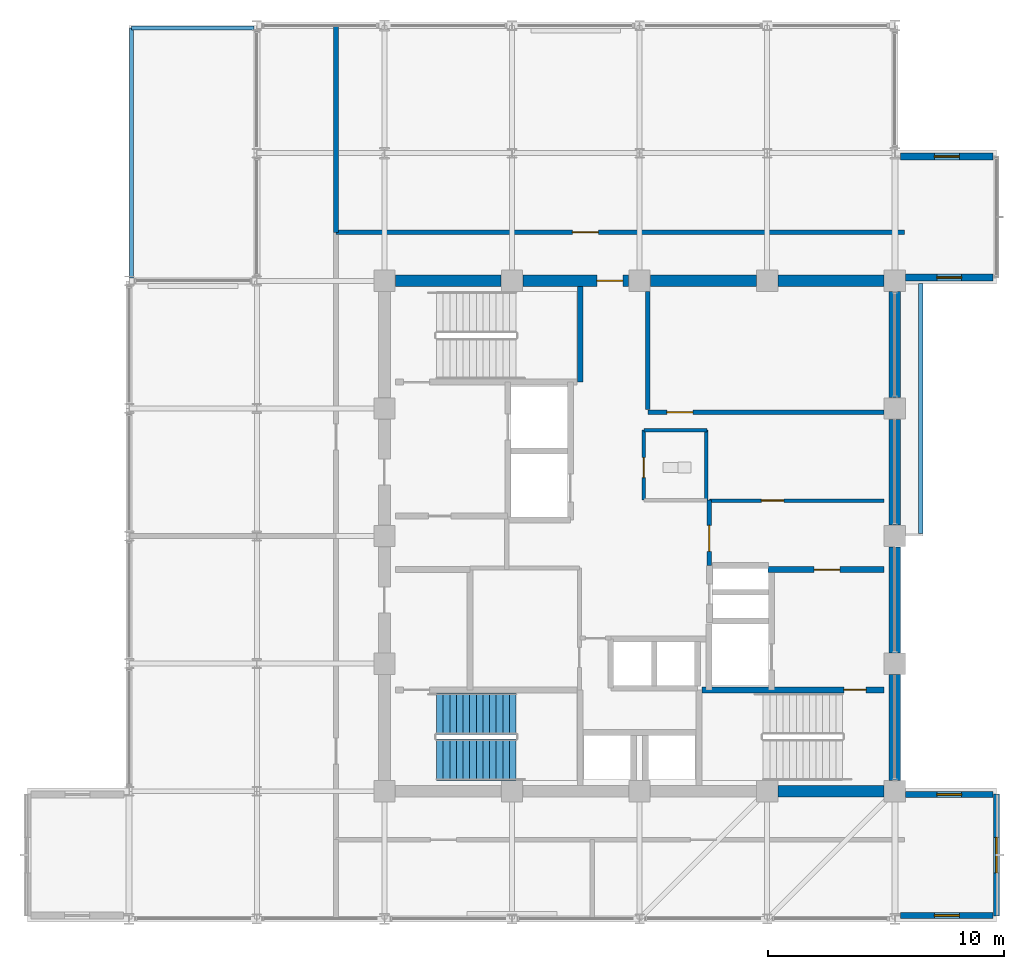
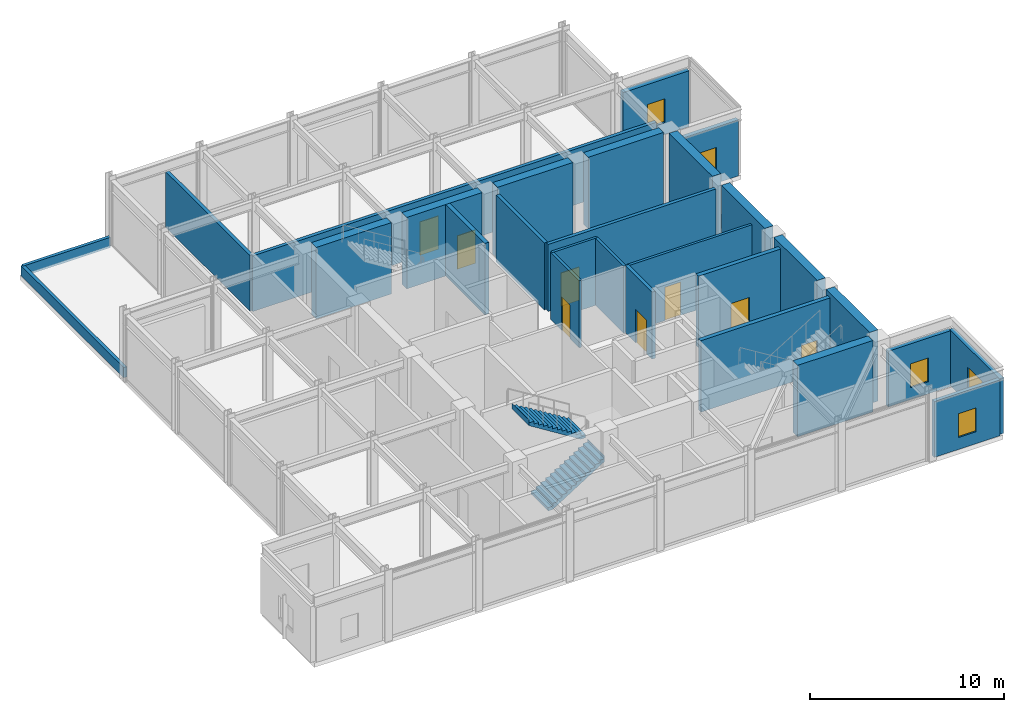
# One storey, part 17 of 22: 29 walls, 8 doors, 5 windows, 2 stair flights, 13 openings, 1 element without a shape of its own.
"""IFC4 building model written with IfcOpenShell, lengths in metres."""

from ifc_helpers import new_model, si_unit, direction, frame, frame_2d, origin, place, context, subcontext, project, spatial, polyline, rectangle, outline, extrude, material, layer, layer_set, type_object, element, fill, aggregate, save


model = new_model("IFC4")

# Units and contexts
model_context = context("Model", 3, precision=1e-05, world=origin(), true_north=direction((0.0, 1.0)))
body_context = subcontext(model_context, "Body", "Model", "MODEL_VIEW")
ifc_project = project(units=[si_unit("LENGTHUNIT", "METRE"), si_unit("AREAUNIT", "SQUARE_METRE"), si_unit("VOLUMEUNIT", "CUBIC_METRE"), si_unit("PLANEANGLEUNIT", "RADIAN"), si_unit("MASSUNIT", "GRAM", prefix="KILO")], contexts=[model_context])

# Site, building, storey
site_placement = place(None, origin())
site = spatial("IfcSite", under=ifc_project, at=site_placement, CompositionType="ELEMENT")
building_placement = place(site_placement, origin())
building = spatial("IfcBuilding", under=site, at=building_placement, Name="Surkhivell Harbour Commons", CompositionType="ELEMENT")
storey_placement = place(building_placement, frame((0.0, 0.0, 342.0)))
storey = spatial("IfcBuildingStorey", under=building, at=storey_placement, Name="L89", CompositionType="ELEMENT", Elevation=342.0)

# Walls
ifc_material_1 = material(Name="Concrete C50/60", Category="concrete")
ifc_layer_1 = layer(ifc_material_1, 0.5)
ifc_layer_set_1 = layer_set([ifc_layer_1], Name="Concrete C50/60")
wall_type_1 = type_object("IfcWallType", Name="WAL-CORE-500", PredefinedType="SHEAR", material=ifc_layer_set_1)
for number, where, z_axis, x_axis, name in (
    (1, (-10.340087890625, 10.800048828125, 0.0), (0.0, 0.0, 1.0), (1.0, 0.0, 0.0), "L89 Core Shear Wall North 1"),
    (2, (10.800048828125, -10.340087890625, 0.0), (0.0, 0.0, 1.0), (0.0, 1.0, 0.0), "L89 Core Shear Wall East 1"),
):
    element("IfcWall", number, at=place(storey_placement, frame(where, z_axis=z_axis, x_axis=x_axis)), inside=storey, type_object=wall_type_1, Name=name, PredefinedType="SHEAR", context=body_context, shape_type="SweptSolid", body=[
        extrude(rectangle(XDim=4.47998046875, YDim=0.5, at=frame_2d((2.239990234375, 0.0))), origin(), (0.0, 0.0, 1.0), 4.5),
    ])

# Wall, opening, door
wall_1_placement = place(storey_placement, frame((-4.93994140625, 10.800048828125, 0.0), z_axis=(0.0, 0.0, 1.0), x_axis=(1.0, 0.0, 0.0)))
wall_1 = element("IfcWall", 3, at=wall_1_placement, inside=storey, type_object=wall_type_1, Name="L89 Core Shear Wall North 2", PredefinedType="SHEAR", context=body_context, shape_type="SweptSolid", body=[
    extrude(rectangle(XDim=4.47998046875, YDim=0.5, at=frame_2d((2.239990234375, 0.0))), origin(), (0.0, 0.0, 1.0), 4.5),
])
opening_1_placement = place(wall_1_placement, frame((3.1298828125, 0.0, 0.0)))
opening_1 = element("IfcOpeningElement", 4, at=opening_1_placement, cuts=wall_1, Name="Opening ID-2", PredefinedType="OPENING", context=body_context, shape_type="SweptSolid", body=[
    extrude(rectangle(XDim=1.10009765625, YDim=2.10009765625, at=frame_2d((0.550048828125, 1.050048828125))), frame((0.0, 0.260009765625, 0.0), z_axis=(0.0, -1.0, 0.0), x_axis=(1.0, 0.0, 0.0)), (0.0, 0.0, 1.0), 0.52001953125),
])
ifc_material_2 = material(Name="Hardwood-veneered fire-rated door leaf", Category="wood")
door_type_1 = type_object("IfcDoorType", Name="DOR-FD60-1100", OperationType="NOTDEFINED", PredefinedType="DOOR", material=ifc_material_2)
door_1_placement = place(opening_1_placement, origin())
door_1 = element("IfcDoor", 5, at=door_1_placement, inside=storey, type_object=door_type_1, Name="L89 Central Core Lift Hall North Corridor Door", OperationType="SINGLE_SWING_LEFT", OverallHeight=2.10009765625, OverallWidth=1.10009765625, PredefinedType="DOOR", context=body_context, shape_type="SweptSolid", body=[
    extrude(rectangle(XDim=1.10009765625, YDim=2.10009765625, at=frame_2d((0.550048828125, 1.050048828125))), frame((0.0, 0.02490234375, 0.0), z_axis=(0.0, -1.0, 0.0), x_axis=(1.0, 0.0, 0.0)), (0.0, 0.0, 1.0), 0.050048828125),
])
fill(opening_1, door_1)

# Walls
for number, where, z_axis, x_axis, name in (
    (6, (10.800048828125, -4.93994140625, 0.0), (0.0, 0.0, 1.0), (0.0, 1.0, 0.0), "L89 Core Shear Wall East 2"),
    (7, (0.4599609375, 10.800048828125, 0.0), (0.0, 0.0, 1.0), (1.0, 0.0, 0.0), "L89 Core Shear Wall North 3"),
    (8, (10.800048828125, 0.4599609375, 0.0), (0.0, 0.0, 1.0), (0.0, 1.0, 0.0), "L89 Core Shear Wall East 3"),
    (9, (5.860107421875, -10.800048828125, 0.0), (0.0, 0.0, 1.0), (1.0, 0.0, 0.0), "L89 Core Shear Wall South 4"),
    (10, (5.860107421875, 10.800048828125, 0.0), (0.0, 0.0, 1.0), (1.0, 0.0, 0.0), "L89 Core Shear Wall North 4"),
    (11, (10.800048828125, 5.860107421875, 0.0), (0.0, 0.0, 1.0), (0.0, 1.0, 0.0), "L89 Core Shear Wall East 4"),
):
    element("IfcWall", number, at=place(storey_placement, frame(where, z_axis=z_axis, x_axis=x_axis)), inside=storey, type_object=wall_type_1, Name=name, PredefinedType="SHEAR", context=body_context, shape_type="SweptSolid", body=[
        extrude(rectangle(XDim=4.47998046875, YDim=0.5, at=frame_2d((2.239990234375, 0.0))), origin(), (0.0, 0.0, 1.0), 4.5),
    ])

# Wall, opening, window
ifc_material_3 = material(Name="Bronze-ochre cassette precast concrete C45/55", Category="concrete")
ifc_layer_2 = layer(ifc_material_3, 0.239990234375)
ifc_layer_set_2 = layer_set([ifc_layer_2], Name="Bronze-ochre cassette precast concrete C45/55")
wall_type_2 = type_object("IfcWallType", Name="WAL-EXT-OCH240", PredefinedType="STANDARD", material=ifc_layer_set_2)
wall_2_placement = place(storey_placement, frame((15.10009765625, -16.080078125, 0.0), z_axis=(0.0, 0.0, 1.0), x_axis=(0.0, 1.0, 0.0)))
wall_2 = element("IfcWall", 12, at=wall_2_placement, inside=storey, type_object=wall_type_2, Name="L89 Coloured Box Front Wall 01", PredefinedType="STANDARD", context=body_context, shape_type="SweptSolid", body=[
    extrude(rectangle(XDim=5.16015625, YDim=0.239990234375, at=frame_2d((2.580078125, 0.0))), origin(), (0.0, 0.0, 1.0), 3.507080078125),
])
opening_2_placement = place(wall_2_placement, frame((1.830078125, 0.0, 0.75)))
opening_2 = element("IfcOpeningElement", 13, at=opening_2_placement, cuts=wall_2, Name="Opening WN-13", PredefinedType="OPENING", context=body_context, shape_type="SweptSolid", body=[
    extrude(rectangle(XDim=1.5, YDim=1.5, at=frame_2d((0.75, 0.75))), frame((0.0, 0.1298828125, 0.0), z_axis=(0.0, -1.0, 0.0), x_axis=(1.0, 0.0, 0.0)), (0.0, 0.0, 1.0), 0.260009765625),
])
ifc_material_4 = material(Name="Thermal-break aluminium frame and double low-E glazing", Category="aluminium")
window_type_1 = type_object("IfcWindowType", Name="WIN-BOX-1500x1500", PartitioningType="SINGLE_PANEL", PredefinedType="WINDOW", material=ifc_material_4)
window_1_placement = place(opening_2_placement, origin())
window_1 = element("IfcWindow", 14, at=window_1_placement, inside=storey, type_object=window_type_1, Name="L89 Coloured Box Square Window 01-1", OverallHeight=1.5, OverallWidth=1.5, PartitioningType="SINGLE_PANEL", PredefinedType="WINDOW", context=body_context, shape_type="SweptSolid", body=[
    extrude(rectangle(XDim=1.5, YDim=1.5, at=frame_2d((0.75, 0.75))), frame((0.0, 0.030029296875, 0.0), z_axis=(0.0, -1.0, 0.0), x_axis=(1.0, 0.0, 0.0)), (0.0, 0.0, 1.0), 0.06005859375),
])
fill(opening_2, window_1)

wall_3_placement = place(storey_placement, frame((11.0439453125, -16.06005859375, 0.0), z_axis=(0.0, 0.0, 1.0), x_axis=(1.0, 0.0, 0.0)))
wall_3 = element("IfcWall", 15, at=wall_3_placement, inside=storey, type_object=wall_type_2, Name="L89 Coloured Box Return Wall 01S", PredefinedType="STANDARD", context=body_context, shape_type="SweptSolid", body=[
    extrude(rectangle(XDim=3.916015625, YDim=0.239990234375, at=frame_2d((1.9580078125, 0.0))), origin(), (0.0, 0.0, 1.0), 3.507080078125),
])
opening_3_placement = place(wall_3_placement, frame((1.43310546875, 0.0, 0.75)))
opening_3 = element("IfcOpeningElement", 16, at=opening_3_placement, cuts=wall_3, Name="Opening WN-11", PredefinedType="OPENING", context=body_context, shape_type="SweptSolid", body=[
    extrude(rectangle(XDim=1.050048828125, YDim=1.5, at=frame_2d((0.52490234375, 0.75))), frame((0.0, 0.1298828125, 0.0), z_axis=(0.0, -1.0, 0.0), x_axis=(1.0, 0.0, 0.0)), (0.0, 0.0, 1.0), 0.260009765625),
])
window_type_2 = type_object("IfcWindowType", Name="WIN-SER-1050x1500", PartitioningType="SINGLE_PANEL", PredefinedType="WINDOW", material=ifc_material_4)
window_2_placement = place(opening_3_placement, origin())
window_2 = element("IfcWindow", 17, at=window_2_placement, inside=storey, type_object=window_type_2, Name="L89 Coloured Box Return Window 01S", OverallHeight=1.5, OverallWidth=1.050048828125, PartitioningType="SINGLE_PANEL", PredefinedType="WINDOW", context=body_context, shape_type="SweptSolid", body=[
    extrude(rectangle(XDim=1.050048828125, YDim=1.5, at=frame_2d((0.52490234375, 0.75))), frame((0.0, 0.030029296875, 0.0), z_axis=(0.0, -1.0, 0.0), x_axis=(1.0, 0.0, 0.0)), (0.0, 0.0, 1.0), 0.06005859375),
])
fill(opening_3, window_2)

wall_4_placement = place(storey_placement, frame((11.25390625, -10.93994140625, 0.0), z_axis=(0.0, 0.0, 1.0), x_axis=(1.0, 0.0, 0.0)))
wall_4 = element("IfcWall", 18, at=wall_4_placement, inside=storey, type_object=wall_type_2, Name="L89 Coloured Box Return Wall 01N", PredefinedType="STANDARD", context=body_context, shape_type="SweptSolid", body=[
    extrude(rectangle(XDim=3.7060546875, YDim=0.239990234375, at=frame_2d((1.85302734375, 0.0))), origin(), (0.0, 0.0, 1.0), 3.507080078125),
])
opening_4_placement = place(wall_4_placement, frame((1.327880859375, 0.0, 0.75)))
opening_4 = element("IfcOpeningElement", 19, at=opening_4_placement, cuts=wall_4, Name="Opening WN-11", PredefinedType="OPENING", context=body_context, shape_type="SweptSolid", body=[
    extrude(rectangle(XDim=1.050048828125, YDim=1.5, at=frame_2d((0.52490234375, 0.75))), frame((0.0, 0.1298828125, 0.0), z_axis=(0.0, -1.0, 0.0), x_axis=(1.0, 0.0, 0.0)), (0.0, 0.0, 1.0), 0.260009765625),
])
window_3_placement = place(opening_4_placement, origin())
window_3 = element("IfcWindow", 20, at=window_3_placement, inside=storey, type_object=window_type_2, Name="L89 Coloured Box Return Window 01N", OverallHeight=1.5, OverallWidth=1.050048828125, PartitioningType="SINGLE_PANEL", PredefinedType="WINDOW", context=body_context, shape_type="SweptSolid", body=[
    extrude(rectangle(XDim=1.050048828125, YDim=1.5, at=frame_2d((0.52490234375, 0.75))), frame((0.0, 0.030029296875, 0.0), z_axis=(0.0, -1.0, 0.0), x_axis=(1.0, 0.0, 0.0)), (0.0, 0.0, 1.0), 0.06005859375),
])
fill(opening_4, window_3)

ifc_material_5 = material(Name="Terracotta-clad reinforced concrete C45/55", Category="masonry")
ifc_layer_3 = layer(ifc_material_5, 0.280029296875)
ifc_layer_set_3 = layer_set([ifc_layer_3], Name="Terracotta-clad reinforced concrete C45/55")
wall_type_3 = type_object("IfcWallType", Name="WAL-EXT-TER280", PredefinedType="STANDARD", material=ifc_layer_set_3)
wall_5_placement = place(storey_placement, frame((11.25390625, 10.93994140625, 0.0), z_axis=(0.0, 0.0, 1.0), x_axis=(1.0, 0.0, 0.0)))
wall_5 = element("IfcWall", 21, at=wall_5_placement, inside=storey, type_object=wall_type_3, Name="L89 Coloured Box Return Wall 02S", PredefinedType="STANDARD", context=body_context, shape_type="SweptSolid", body=[
    extrude(rectangle(XDim=3.7060546875, YDim=0.280029296875, at=frame_2d((1.85302734375, 0.0))), origin(), (0.0, 0.0, 1.0), 3.507080078125),
])
opening_5_placement = place(wall_5_placement, frame((1.327880859375, 0.0, 0.75)))
opening_5 = element("IfcOpeningElement", 22, at=opening_5_placement, cuts=wall_5, Name="Opening WN-11", PredefinedType="OPENING", context=body_context, shape_type="SweptSolid", body=[
    extrude(rectangle(XDim=1.050048828125, YDim=1.5, at=frame_2d((0.52490234375, 0.75))), frame((0.0, 0.14990234375, 0.0), z_axis=(0.0, -1.0, 0.0), x_axis=(1.0, 0.0, 0.0)), (0.0, 0.0, 1.0), 0.300048828125),
])
window_4_placement = place(opening_5_placement, origin())
window_4 = element("IfcWindow", 23, at=window_4_placement, inside=storey, type_object=window_type_2, Name="L89 Coloured Box Return Window 02S", OverallHeight=1.5, OverallWidth=1.050048828125, PartitioningType="SINGLE_PANEL", PredefinedType="WINDOW", context=body_context, shape_type="SweptSolid", body=[
    extrude(rectangle(XDim=1.050048828125, YDim=1.5, at=frame_2d((0.52490234375, 0.75))), frame((0.0, 0.030029296875, 0.0), z_axis=(0.0, -1.0, 0.0), x_axis=(1.0, 0.0, 0.0)), (0.0, 0.0, 1.0), 0.06005859375),
])
fill(opening_5, window_4)

wall_6_placement = place(storey_placement, frame((11.0439453125, 16.06005859375, 0.0), z_axis=(0.0, 0.0, 1.0), x_axis=(1.0, 0.0, 0.0)))
wall_6 = element("IfcWall", 24, at=wall_6_placement, inside=storey, type_object=wall_type_3, Name="L89 Coloured Box Return Wall 02N", PredefinedType="STANDARD", context=body_context, shape_type="SweptSolid", body=[
    extrude(rectangle(XDim=3.916015625, YDim=0.280029296875, at=frame_2d((1.9580078125, 0.0))), origin(), (0.0, 0.0, 1.0), 3.507080078125),
])
opening_6_placement = place(wall_6_placement, frame((1.43310546875, 0.0, 0.75)))
opening_6 = element("IfcOpeningElement", 25, at=opening_6_placement, cuts=wall_6, Name="Opening WN-11", PredefinedType="OPENING", context=body_context, shape_type="SweptSolid", body=[
    extrude(rectangle(XDim=1.050048828125, YDim=1.5, at=frame_2d((0.52490234375, 0.75))), frame((0.0, 0.14990234375, 0.0), z_axis=(0.0, -1.0, 0.0), x_axis=(1.0, 0.0, 0.0)), (0.0, 0.0, 1.0), 0.300048828125),
])
window_5_placement = place(opening_6_placement, origin())
window_5 = element("IfcWindow", 26, at=window_5_placement, inside=storey, type_object=window_type_2, Name="L89 Coloured Box Return Window 02N", OverallHeight=1.5, OverallWidth=1.050048828125, PartitioningType="SINGLE_PANEL", PredefinedType="WINDOW", context=body_context, shape_type="SweptSolid", body=[
    extrude(rectangle(XDim=1.050048828125, YDim=1.5, at=frame_2d((0.52490234375, 0.75))), frame((0.0, 0.030029296875, 0.0), z_axis=(0.0, -1.0, 0.0), x_axis=(1.0, 0.0, 0.0)), (0.0, 0.0, 1.0), 0.06005859375),
])
fill(opening_6, window_5)

# Walls
ifc_material_6 = material(Name="Twin-stud acoustic fireboard partition", Category="other")
ifc_layer_4 = layer(ifc_material_6, 0.14990234375)
ifc_layer_set_4 = layer_set([ifc_layer_4], Name="Twin-stud acoustic fireboard partition")
wall_type_4 = type_object("IfcWallType", Name="WAL-INT-150", PredefinedType="PARTITIONING", material=ifc_layer_set_4)
wall_7_placement = place(storey_placement, frame((2.820068359375, 1.52001953125, 0.0), z_axis=(0.0, 0.0, 1.0), x_axis=(0.0, 1.0, 0.0)))
element("IfcWall", 27, at=wall_7_placement, inside=storey, type_object=wall_type_4, Name="L89 Core Accessible WC East Wall", PredefinedType="PARTITIONING", context=body_context, shape_type="SweptSolid", body=[
    extrude(rectangle(XDim=2.9599609375, YDim=0.14990234375, at=frame_2d((1.47998046875, 0.0))), origin(), (0.0, 0.0, 1.0), 4.219970703125),
])
wall_8_placement = place(storey_placement, frame((0.179931640625, 4.47998046875, 0.0), z_axis=(0.0, 0.0, 1.0), x_axis=(1.0, 0.0, 0.0)))
element("IfcWall", 28, at=wall_8_placement, inside=storey, type_object=wall_type_4, Name="L89 Core Accessible WC North Wall", PredefinedType="PARTITIONING", context=body_context, shape_type="SweptSolid", body=[
    extrude(rectangle(XDim=2.670166015625, YDim=0.14990234375, at=frame_2d((1.3349609375, 0.0))), origin(), (0.0, 0.0, 1.0), 4.219970703125),
])

# Wall, opening, door
wall_9_placement = place(storey_placement, frame((0.179931640625, 1.52001953125, 0.0), z_axis=(0.0, 0.0, 1.0), x_axis=(0.0, 1.0, 0.0)))
wall_9 = element("IfcWall", 29, at=wall_9_placement, inside=storey, type_object=wall_type_4, Name="L89 Core Accessible WC West Wall", PredefinedType="PARTITIONING", context=body_context, shape_type="SweptSolid", body=[
    extrude(rectangle(XDim=2.9599609375, YDim=0.14990234375, at=frame_2d((1.47998046875, 0.0))), origin(), (0.0, 0.0, 1.0), 4.219970703125),
])
opening_7_placement = place(wall_9_placement, frame((0.949951171875, 0.0, 0.0)))
opening_7 = element("IfcOpeningElement", 30, at=opening_7_placement, cuts=wall_9, Name="Opening ID-6", PredefinedType="OPENING", context=body_context, shape_type="SweptSolid", body=[
    extrude(rectangle(XDim=0.85009765625, YDim=2.10009765625, at=frame_2d((0.425048828125, 1.050048828125))), frame((0.0, 0.0849609375, 0.0), z_axis=(0.0, -1.0, 0.0), x_axis=(1.0, 0.0, 0.0)), (0.0, 0.0, 1.0), 0.169921875),
])
door_type_2 = type_object("IfcDoorType", Name="DOR-FD30-850", OperationType="NOTDEFINED", PredefinedType="DOOR", material=ifc_material_2)
door_2_placement = place(opening_7_placement, origin())
door_2 = element("IfcDoor", 31, at=door_2_placement, inside=storey, type_object=door_type_2, Name="L89 Floor Accessible WC Door", OperationType="SINGLE_SWING_RIGHT", OverallHeight=2.10009765625, OverallWidth=0.85009765625, PredefinedType="DOOR", context=body_context, shape_type="SweptSolid", body=[
    extrude(rectangle(XDim=0.85009765625, YDim=2.10009765625, at=frame_2d((0.425048828125, 1.050048828125))), frame((0.0, 0.02490234375, 0.0), z_axis=(0.0, -1.0, 0.0), x_axis=(1.0, 0.0, 0.0)), (0.0, 0.0, 1.0), 0.050048828125),
])
fill(opening_7, door_2)

wall_10_placement = place(storey_placement, frame((2.949951171875, 1.5, 0.0), z_axis=(0.0, 0.0, 1.0), x_axis=(1.0, 0.0, 0.0)))
wall_10 = element("IfcWall", 32, at=wall_10_placement, inside=storey, type_object=wall_type_4, Name="L89 Crown East Core Corridor Wall", PredefinedType="PARTITIONING", context=body_context, shape_type="SweptSolid", body=[
    extrude(rectangle(XDim=7.39013671875, YDim=0.14990234375, at=frame_2d((3.695068359375, 0.0))), origin(), (0.0, 0.0, 1.0), 4.219970703125),
])
opening_8_placement = place(wall_10_placement, frame((2.199951171875, 0.0, 0.0)))
opening_8 = element("IfcOpeningElement", 33, at=opening_8_placement, cuts=wall_10, Name="Opening ID-4", PredefinedType="OPENING", context=body_context, shape_type="SweptSolid", body=[
    extrude(rectangle(XDim=0.949951171875, YDim=2.10009765625, at=frame_2d((0.47509765625, 1.050048828125))), frame((0.0, 0.0849609375, 0.0), z_axis=(0.0, -1.0, 0.0), x_axis=(1.0, 0.0, 0.0)), (0.0, 0.0, 1.0), 0.169921875),
])
door_type_3 = type_object("IfcDoorType", Name="DOR-FD60-950", OperationType="NOTDEFINED", PredefinedType="DOOR", material=ifc_material_2)
door_3_placement = place(opening_8_placement, origin())
door_3 = element("IfcDoor", 34, at=door_3_placement, inside=storey, type_object=door_type_3, Name="L89 Crown East Room Door", OperationType="SINGLE_SWING_RIGHT", OverallHeight=2.10009765625, OverallWidth=0.949951171875, PredefinedType="DOOR", context=body_context, shape_type="SweptSolid", body=[
    extrude(rectangle(XDim=0.949951171875, YDim=2.10009765625, at=frame_2d((0.47509765625, 1.050048828125))), frame((0.0, 0.02490234375, 0.0), z_axis=(0.0, -1.0, 0.0), x_axis=(1.0, 0.0, 0.0)), (0.0, 0.0, 1.0), 0.050048828125),
])
fill(opening_8, door_3)

ifc_material_7 = material(Name="Autoclaved aerated concrete blockwork and fire plaster", Category="masonry")
ifc_layer_5 = layer(ifc_material_7, 0.199951171875)
ifc_layer_set_5 = layer_set([ifc_layer_5], Name="Autoclaved aerated concrete blockwork and fire plaster")
wall_type_5 = type_object("IfcWallType", Name="WAL-INT-200", PredefinedType="PARTITIONING", material=ifc_layer_set_5)
wall_11_placement = place(storey_placement, frame((0.35009765625, 5.239990234375, 0.0), z_axis=(0.0, 0.0, 1.0), x_axis=(1.0, 0.0, 0.0)))
wall_11 = element("IfcWall", 35, at=wall_11_placement, inside=storey, type_object=wall_type_5, Name="L89 Reclaimed Core North Bay South Wall", PredefinedType="PARTITIONING", context=body_context, shape_type="SweptSolid", body=[
    extrude(rectangle(XDim=9.989990234375, YDim=0.199951171875, at=frame_2d((4.9951171875, 0.0))), origin(), (0.0, 0.0, 1.0), 4.219970703125),
])
opening_9_placement = place(wall_11_placement, frame((0.800048828125, 0.0, 0.0)))
opening_9 = element("IfcOpeningElement", 36, at=opening_9_placement, cuts=wall_11, Name="Opening ID-2", PredefinedType="OPENING", context=body_context, shape_type="SweptSolid", body=[
    extrude(rectangle(XDim=1.10009765625, YDim=2.10009765625, at=frame_2d((0.550048828125, 1.050048828125))), frame((0.0, 0.10986328125, 0.0), z_axis=(0.0, -1.0, 0.0), x_axis=(1.0, 0.0, 0.0)), (0.0, 0.0, 1.0), 0.219970703125),
])
door_4_placement = place(opening_9_placement, origin())
door_4 = element("IfcDoor", 37, at=door_4_placement, inside=storey, type_object=door_type_1, Name="L89 Core Fan Room Door", OperationType="SINGLE_SWING_LEFT", OverallHeight=2.10009765625, OverallWidth=1.10009765625, PredefinedType="DOOR", context=body_context, shape_type="SweptSolid", body=[
    extrude(rectangle(XDim=1.10009765625, YDim=2.10009765625, at=frame_2d((0.550048828125, 1.050048828125))), frame((0.0, 0.02490234375, 0.0), z_axis=(0.0, -1.0, 0.0), x_axis=(1.0, 0.0, 0.0)), (0.0, 0.0, 1.0), 0.050048828125),
])
fill(opening_9, door_4)

# Wall
wall_12_placement = place(storey_placement, frame((0.35009765625, 5.360107421875, 0.0), z_axis=(0.0, 0.0, 1.0), x_axis=(0.0, 1.0, 0.0)))
element("IfcWall", 38, at=wall_12_placement, inside=storey, type_object=wall_type_5, Name="L89 Reclaimed Core North Bay West Wall", PredefinedType="PARTITIONING", context=body_context, shape_type="SweptSolid", body=[
    extrude(rectangle(XDim=4.97998046875, YDim=0.199951171875, at=frame_2d((2.489990234375, 0.0))), origin(), (0.0, 0.0, 1.0), 4.219970703125),
])

# Wall, opening, door
wall_13_placement = place(storey_placement, frame((2.949951171875, -1.25, 0.0), z_axis=(0.0, 0.0, 1.0), x_axis=(0.0, 1.0, 0.0)))
wall_13 = element("IfcWall", 39, at=wall_13_placement, inside=storey, type_object=wall_type_5, Name="L89 Reclaimed East Core West Wall", PredefinedType="PARTITIONING", context=body_context, shape_type="SweptSolid", body=[
    extrude(rectangle(XDim=2.77001953125, YDim=0.199951171875, at=frame_2d((1.385009765625, 0.0))), origin(), (0.0, 0.0, 1.0), 4.219970703125),
])
opening_10_placement = place(wall_13_placement, frame((0.60009765625, 0.0, 0.0)))
opening_10 = element("IfcOpeningElement", 40, at=opening_10_placement, cuts=wall_13, Name="Opening ID-2", PredefinedType="OPENING", context=body_context, shape_type="SweptSolid", body=[
    extrude(rectangle(XDim=1.10009765625, YDim=2.10009765625, at=frame_2d((0.550048828125, 1.050048828125))), frame((0.0, 0.10986328125, 0.0), z_axis=(0.0, -1.0, 0.0), x_axis=(1.0, 0.0, 0.0)), (0.0, 0.0, 1.0), 0.219970703125),
])
door_5_placement = place(opening_10_placement, origin())
door_5 = element("IfcDoor", 41, at=door_5_placement, inside=storey, type_object=door_type_1, Name="L89 Crown East Escape Door", OperationType="SINGLE_SWING_LEFT", OverallHeight=2.10009765625, OverallWidth=1.10009765625, PredefinedType="DOOR", context=body_context, shape_type="SweptSolid", body=[
    extrude(rectangle(XDim=1.10009765625, YDim=2.10009765625, at=frame_2d((0.550048828125, 1.050048828125))), frame((0.0, 0.02490234375, 0.0), z_axis=(0.0, -1.0, 0.0), x_axis=(1.0, 0.0, 0.0)), (0.0, 0.0, 1.0), 0.050048828125),
])
fill(opening_10, door_5)

# Wall
wall_14_placement = place(storey_placement, frame((-12.85009765625, 12.85009765625, 0.0), z_axis=(0.0, 0.0, 1.0), x_axis=(0.0, 1.0, 0.0)))
element("IfcWall", 42, at=wall_14_placement, inside=storey, type_object=wall_type_5, Name="L89 Crown NW Corner Wall", PredefinedType="PARTITIONING", context=body_context, shape_type="SweptSolid", body=[
    extrude(rectangle(XDim=8.7099609375, YDim=0.199951171875, at=frame_2d((4.35498046875, 0.0))), origin(), (0.0, 0.0, 1.0), 3.507080078125),
])

# Wall, opening, door
wall_15_placement = place(storey_placement, frame((-12.85009765625, 12.85009765625, 0.0), z_axis=(0.0, 0.0, 1.0), x_axis=(1.0, 0.0, 0.0)))
wall_15 = element("IfcWall", 43, at=wall_15_placement, inside=storey, type_object=wall_type_5, Name="L89 Crown Corridor North Wall", PredefinedType="PARTITIONING", context=body_context, shape_type="SweptSolid", body=[
    extrude(rectangle(XDim=24.050048828125, YDim=0.199951171875, at=frame_2d((12.02490234375, 0.0))), origin(), (0.0, 0.0, 1.0), 3.507080078125),
])
opening_11_placement = place(wall_15_placement, frame((10.0, 0.0, 0.0)))
opening_11 = element("IfcOpeningElement", 44, at=opening_11_placement, cuts=wall_15, Name="Opening ID-2", PredefinedType="OPENING", context=body_context, shape_type="SweptSolid", body=[
    extrude(rectangle(XDim=1.10009765625, YDim=2.10009765625, at=frame_2d((0.550048828125, 1.050048828125))), frame((0.0, 0.10986328125, 0.0), z_axis=(0.0, -1.0, 0.0), x_axis=(1.0, 0.0, 0.0)), (0.0, 0.0, 1.0), 0.219970703125),
])
door_6_placement = place(opening_11_placement, origin())
door_6 = element("IfcDoor", 45, at=door_6_placement, inside=storey, type_object=door_type_1, Name="L89 L89 Central Chiller Plant Hall Door", OperationType="SINGLE_SWING_RIGHT", OverallHeight=2.10009765625, OverallWidth=1.10009765625, PredefinedType="DOOR", context=body_context, shape_type="SweptSolid", body=[
    extrude(rectangle(XDim=1.10009765625, YDim=2.10009765625, at=frame_2d((0.550048828125, 1.050048828125))), frame((0.0, 0.02490234375, 0.0), z_axis=(0.0, -1.0, 0.0), x_axis=(1.0, 0.0, 0.0)), (0.0, 0.0, 1.0), 0.050048828125),
])
fill(opening_11, door_6)

# Walls
ifc_material_8 = material(Name="Anodised aluminium and precast concrete C40/50", Category="concrete")
ifc_layer_6 = layer(ifc_material_8, 0.18505859375)
ifc_layer_set_6 = layer_set([ifc_layer_6], Name="Anodised aluminium and precast concrete C40/50")
wall_type_6 = type_object("IfcWallType", Name="WAL-PAR-185", PredefinedType="PARAPET", material=ifc_layer_set_6)
wall_16_placement = place(storey_placement, frame((-16.320068359375, 21.5, 0.0), z_axis=(0.0, 0.0, 1.0), x_axis=(-1.0, 0.0, 0.0)))
element("IfcWall", 46, at=wall_16_placement, inside=storey, type_object=wall_type_6, Name="L89 Box Roof Coping Parapet 1-1", PredefinedType="PARAPET", context=body_context, shape_type="SweptSolid", body=[
    extrude(rectangle(XDim=5.179931640625, YDim=0.18505859375, at=frame_2d((2.58984375, 0.0))), origin(), (0.0, 0.0, 1.0), 0.64990234375),
])
wall_17_placement = place(storey_placement, frame((-21.5, 21.5, 0.0), z_axis=(0.0, 0.0, 1.0), x_axis=(0.0, -1.0, 0.0)))
element("IfcWall", 47, at=wall_17_placement, inside=storey, type_object=wall_type_6, Name="L89 Box Roof Coping Parapet 1-2", PredefinedType="PARAPET", context=body_context, shape_type="SweptSolid", body=[
    extrude(rectangle(XDim=10.580078125, YDim=0.18505859375, at=frame_2d((5.2900390625, 0.0))), origin(), (0.0, 0.0, 1.0), 0.64990234375),
])
wall_18_placement = place(storey_placement, frame((11.89990234375, 0.10009765625, 0.0), z_axis=(0.0, 0.0, 1.0), x_axis=(0.0, 1.0, 0.0)))
element("IfcWall", 48, at=wall_18_placement, inside=storey, type_object=wall_type_6, Name="L89 Box Roof Coping Parapet 2-1", PredefinedType="PARAPET", context=body_context, shape_type="SweptSolid", body=[
    extrude(rectangle(XDim=10.579833984375, YDim=0.18505859375, at=frame_2d((5.2900390625, 0.0))), origin(), (0.0, 0.0, 1.0), 0.64990234375),
])

# Wall, opening, door
ifc_layer_7 = layer(ifc_material_1, 0.25)
ifc_layer_set_7 = layer_set([ifc_layer_7], Name="Concrete C50/60")
wall_type_7 = type_object("IfcWallType", Name="WAL-SHAFT-250", PredefinedType="SHEAR", material=ifc_layer_set_7)
wall_19_placement = place(storey_placement, frame((5.43994140625, -1.419921875, 0.0), z_axis=(0.0, 0.0, 1.0), x_axis=(1.0, 0.0, 0.0)))
wall_19 = element("IfcWall", 49, at=wall_19_placement, inside=storey, type_object=wall_type_7, Name="L89 Firefighting Lobby 2 North Wall", PredefinedType="SHEAR", context=body_context, shape_type="SweptSolid", body=[
    extrude(rectangle(XDim=4.900146484375, YDim=0.25, at=frame_2d((2.4501953125, 0.0))), origin(), (0.0, 0.0, 1.0), 4.5),
])
opening_12_placement = place(wall_19_placement, frame((1.93994140625, 0.0, 0.0)))
opening_12 = element("IfcOpeningElement", 50, at=opening_12_placement, cuts=wall_19, Name="Opening ID-1", PredefinedType="OPENING", context=body_context, shape_type="SweptSolid", body=[
    extrude(rectangle(XDim=1.10009765625, YDim=2.10009765625, at=frame_2d((0.550048828125, 1.050048828125))), frame((0.0, 0.135009765625, 0.0), z_axis=(0.0, -1.0, 0.0), x_axis=(1.0, 0.0, 0.0)), (0.0, 0.0, 1.0), 0.27001953125),
])
door_type_4 = type_object("IfcDoorType", Name="DOR-FD120-1100", OperationType="NOTDEFINED", PredefinedType="DOOR", material=ifc_material_2)
door_7_placement = place(opening_12_placement, origin())
door_7 = element("IfcDoor", 51, at=door_7_placement, inside=storey, type_object=door_type_4, Name="L89 Firefighting Lobby 2 Inner Door", OperationType="SINGLE_SWING_LEFT", OverallHeight=2.10009765625, OverallWidth=1.10009765625, PredefinedType="DOOR", context=body_context, shape_type="SweptSolid", body=[
    extrude(rectangle(XDim=1.10009765625, YDim=2.10009765625, at=frame_2d((0.550048828125, 1.050048828125))), frame((0.0, 0.02490234375, 0.0), z_axis=(0.0, -1.0, 0.0), x_axis=(1.0, 0.0, 0.0)), (0.0, 0.0, 1.0), 0.050048828125),
])
fill(opening_12, door_7)

# Wall
wall_20_placement = place(storey_placement, frame((-2.510009765625, 6.510009765625, 0.0), z_axis=(0.0, 0.0, 1.0), x_axis=(0.0, 1.0, 0.0)))
element("IfcWall", 52, at=wall_20_placement, inside=storey, type_object=wall_type_7, Name="L89 Stair ST1 East Shear Wall", PredefinedType="SHEAR", context=body_context, shape_type="SweptSolid", body=[
    extrude(rectangle(XDim=4.0400390625, YDim=0.25, at=frame_2d((2.02001953125, 0.0))), origin(), (0.0, 0.0, 1.0), 4.5),
])

# Wall, opening, door
wall_21_placement = place(storey_placement, frame((2.639892578125, -6.510009765625, 0.0), z_axis=(0.0, 0.0, 1.0), x_axis=(1.0, 0.0, 0.0)))
wall_21 = element("IfcWall", 53, at=wall_21_placement, inside=storey, type_object=wall_type_7, Name="L89 Stair ST2 North Shear Wall", PredefinedType="SHEAR", context=body_context, shape_type="SweptSolid", body=[
    extrude(rectangle(XDim=7.7001953125, YDim=0.25, at=frame_2d((3.85009765625, 0.0))), origin(), (0.0, 0.0, 1.0), 4.5),
])
opening_13_placement = place(wall_21_placement, frame((6.0, 0.0, 0.0)))
opening_13 = element("IfcOpeningElement", 54, at=opening_13_placement, cuts=wall_21, Name="Opening ID-4", PredefinedType="OPENING", context=body_context, shape_type="SweptSolid", body=[
    extrude(rectangle(XDim=0.949951171875, YDim=2.10009765625, at=frame_2d((0.47509765625, 1.050048828125))), frame((0.0, 0.135009765625, 0.0), z_axis=(0.0, -1.0, 0.0), x_axis=(1.0, 0.0, 0.0)), (0.0, 0.0, 1.0), 0.27001953125),
])
door_8_placement = place(opening_13_placement, origin())
door_8 = element("IfcDoor", 55, at=door_8_placement, inside=storey, type_object=door_type_3, Name="L89 Stair ST2 Exit Door", OperationType="SINGLE_SWING_RIGHT", OverallHeight=2.10009765625, OverallWidth=0.949951171875, PredefinedType="DOOR", context=body_context, shape_type="SweptSolid", body=[
    extrude(rectangle(XDim=0.949951171875, YDim=2.10009765625, at=frame_2d((0.47509765625, 1.050048828125))), frame((0.0, 0.02490234375, 0.0), z_axis=(0.0, -1.0, 0.0), x_axis=(1.0, 0.0, 0.0)), (0.0, 0.0, 1.0), 0.050048828125),
])
fill(opening_13, door_8)

# Stair, stair flights
ifc_material_9 = material(Name="Precast concrete C45/55", Category="concrete")
stair_type = type_object("IfcStairType", Name="STR-DL-450", PredefinedType="HALF_TURN_STAIR", material=ifc_material_9)
stair_placement = place(storey_placement, origin())
stair = element("IfcStair", 56, at=stair_placement, inside=storey, type_object=stair_type, Name="L89 Core Exit Stair ST3", PredefinedType="HALF_TURN_STAIR")
stair_flight_type = type_object("IfcStairFlightType", Name="STF-DL-450", PredefinedType="STRAIGHT", material=ifc_material_9)
stair_flight_1_placement = place(storey_placement, frame((-8.590087890625, -9.465087890625, 0.0), z_axis=(0.0, 0.0, 1.0), x_axis=(1.0, 0.0, 0.0)))
stair_flight_1 = element("IfcStairFlight", 57, at=stair_flight_1_placement, type_object=stair_flight_type, Name="ST3 flight 1", NumberOfRisers=13, NumberOfTreads=12, PredefinedType="STRAIGHT", RiserHeight=0.173076923, TreadLength=0.28, context=body_context, shape_type="SweptSolid", body=[
    extrude(outline(polyline([(-0.0029296875, -0.034912109375), (-0.0029296875, 0.0), (0.0, 0.0), (0.0, 0.173095703125), (0.280029296875, 0.173095703125), (0.280029296875, 0.34619140625), (0.56005859375, 0.34619140625), (0.56005859375, 0.519287109375), (0.840087890625, 0.519287109375), (0.840087890625, 0.6923828125), (1.1201171875, 0.6923828125), (1.1201171875, 0.865478515625), (1.39990234375, 0.865478515625), (1.39990234375, 1.03857421875), (1.679931640625, 1.03857421875), (1.679931640625, 1.21142578125), (1.9599609375, 1.21142578125), (1.9599609375, 1.384521484375), (2.239990234375, 1.384521484375), (2.239990234375, 1.5576171875), (2.52001953125, 1.5576171875), (2.52001953125, 1.730712890625), (2.800048828125, 1.730712890625), (2.800048828125, 1.90380859375), (3.080078125, 1.90380859375), (3.080078125, 2.076904296875), (3.360107421875, 2.076904296875), (3.360107421875, 2.25), (3.363037109375, 2.25), (3.363037109375, 1.900634765625), (0.28515625, -0.034912109375), (-0.0029296875, -0.034912109375)])), frame((0.0, 0.875, 0.0), z_axis=(0.0, -1.0, 0.0), x_axis=(1.0, 0.0, 0.0)), (0.0, 0.0, 1.0), 1.75),
])
stair_flight_2_placement = place(storey_placement, frame((-5.22998046875, -7.514892578125, 2.25), z_axis=(0.0, 0.0, 1.0), x_axis=(-1.0, 0.0, 0.0)))
stair_flight_2 = element("IfcStairFlight", 58, at=stair_flight_2_placement, type_object=stair_flight_type, Name="ST3 flight 2", NumberOfRisers=13, NumberOfTreads=12, PredefinedType="STRAIGHT", RiserHeight=0.173076923, TreadLength=0.28, context=body_context, shape_type="SweptSolid", body=[
    extrude(outline(polyline([(-0.0029296875, -0.034912109375), (-0.0029296875, 0.0), (0.0, 0.0), (0.0, 0.173095703125), (0.280029296875, 0.173095703125), (0.280029296875, 0.34619140625), (0.56005859375, 0.34619140625), (0.56005859375, 0.519287109375), (0.840087890625, 0.519287109375), (0.840087890625, 0.6923828125), (1.1201171875, 0.6923828125), (1.1201171875, 0.865478515625), (1.39990234375, 0.865478515625), (1.39990234375, 1.03857421875), (1.679931640625, 1.03857421875), (1.679931640625, 1.21142578125), (1.9599609375, 1.21142578125), (1.9599609375, 1.384521484375), (2.239990234375, 1.384521484375), (2.239990234375, 1.5576171875), (2.52001953125, 1.5576171875), (2.52001953125, 1.730712890625), (2.800048828125, 1.730712890625), (2.800048828125, 1.90380859375), (3.080078125, 1.90380859375), (3.080078125, 2.076904296875), (3.360107421875, 2.076904296875), (3.360107421875, 2.25), (3.363037109375, 2.25), (3.363037109375, 1.900634765625), (0.28515625, -0.034912109375), (-0.0029296875, -0.034912109375)])), frame((0.0, 0.875, 0.0), z_axis=(0.0, -1.0, 0.0), x_axis=(1.0, 0.0, 0.0)), (0.0, 0.0, 1.0), 1.75),
])
aggregate(stair, [stair_flight_1, stair_flight_2])

save(model, "model.ifc")
